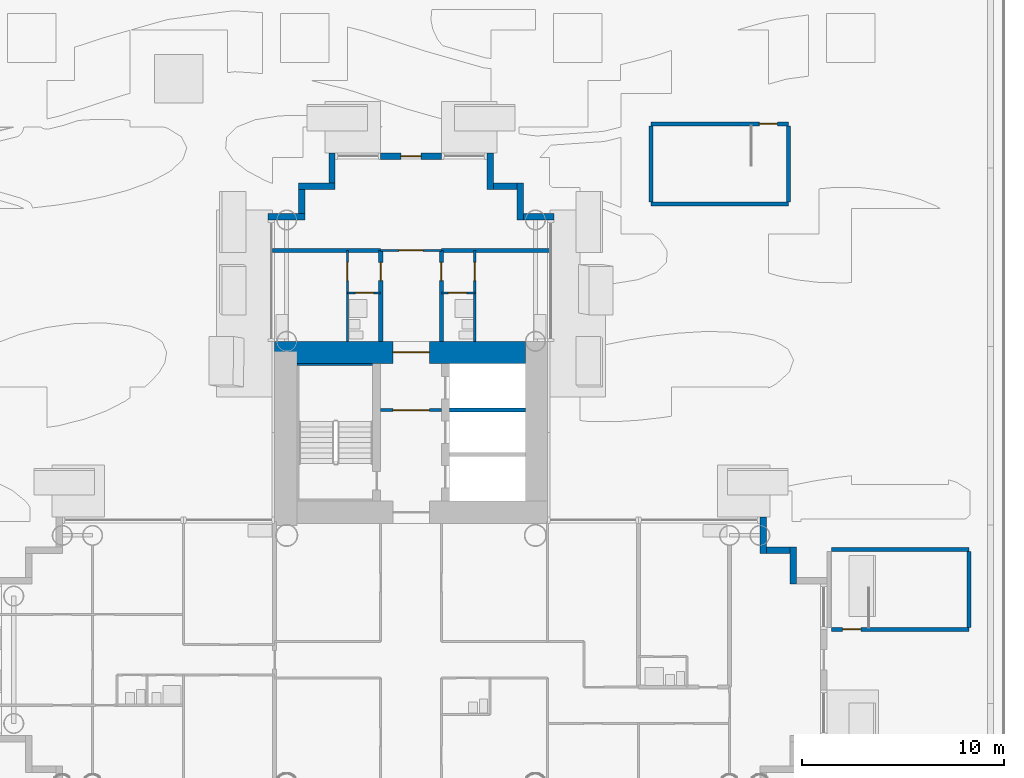
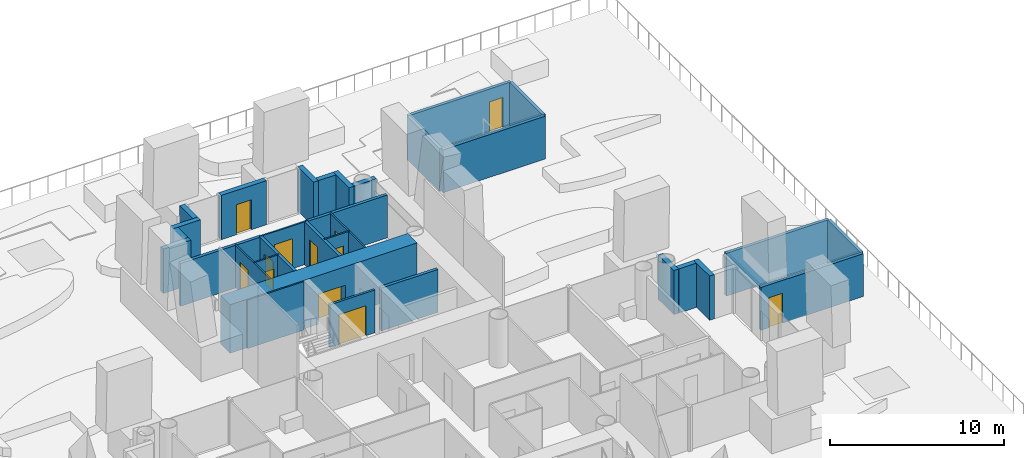
# One storey, part 30 of 40: 32 walls, 12 doors, 12 openings.
"""IFC4 building model written with IfcOpenShell, lengths in metres."""

from ifc_helpers import new_model, si_unit, direction, frame, frame_2d, origin, place, context, subcontext, project, spatial, rectangle, extrude, material, layer, layer_set, type_object, element, fill, save


model = new_model("IFC4")

# Units and contexts
model_context = context("Model", 3, precision=1e-05, world=origin(), true_north=direction((0.0, 1.0)))
body_context = subcontext(model_context, "Body", "Model", "MODEL_VIEW")
ifc_project = project(units=[si_unit("LENGTHUNIT", "METRE"), si_unit("AREAUNIT", "SQUARE_METRE"), si_unit("VOLUMEUNIT", "CUBIC_METRE"), si_unit("PLANEANGLEUNIT", "RADIAN"), si_unit("MASSUNIT", "GRAM", prefix="KILO")], contexts=[model_context])

# Site, building, storey
site_placement = place(None, origin())
site = spatial("IfcSite", under=ifc_project, at=site_placement, CompositionType="ELEMENT")
building_placement = place(site_placement, origin())
building = spatial("IfcBuilding", under=site, at=building_placement, Name="Ipe Terrace Towers", CompositionType="ELEMENT")
storey_placement = place(building_placement, frame((0.0, 0.0, 24.5)))
storey = spatial("IfcBuildingStorey", under=building, at=storey_placement, Name="L05", CompositionType="ELEMENT", Elevation=24.5)

# Walls
ifc_material_1 = material(Name="Concrete C40/50 with buff precast cladding", Category="concrete")
ifc_layer_1 = layer(ifc_material_1, 0.320068359375)
ifc_layer_set_1 = layer_set([ifc_layer_1], Name="BUFF CLADDING WALL 320")
wall_type_1 = type_object("IfcWallType", Name="BUFF CLADDING WALL 320", PredefinedType="STANDARD", material=ifc_layer_set_1)
wall_1_placement = place(storey_placement, frame((54.909912109375, 3.75, 0.0), z_axis=(0.0, 0.0, 1.0), x_axis=(0.0, 1.0, 0.0)))
element("IfcWall", 1, at=wall_1_placement, inside=storey, type_object=wall_type_1, Name="T2-W-L05-14a wall", PredefinedType="STANDARD", context=body_context, shape_type="SweptSolid", body=[
    extrude(rectangle(XDim=1.820068359375, YDim=0.320068359375, at=frame_2d((0.91015625, 0.0))), origin(), (0.0, 0.0, 1.0), 3.10009765625),
])
wall_2_placement = place(storey_placement, frame((54.75, 5.409912109375, 0.0), z_axis=(0.0, 0.0, 1.0), x_axis=(-1.0, 0.0, 0.0)))
element("IfcWall", 2, at=wall_2_placement, inside=storey, type_object=wall_type_1, Name="T2-W-L05-15a wall", PredefinedType="STANDARD", context=body_context, shape_type="SweptSolid", body=[
    extrude(rectangle(XDim=1.179931640625, YDim=0.320068359375, at=frame_2d((0.58984375, 0.0))), origin(), (0.0, 0.0, 1.0), 3.10009765625),
])
wall_3_placement = place(storey_placement, frame((53.409912109375, 5.25, 0.0), z_axis=(0.0, 0.0, 1.0), x_axis=(0.0, 1.0, 0.0)))
element("IfcWall", 3, at=wall_3_placement, inside=storey, type_object=wall_type_1, Name="T2-W-L05-16a wall", PredefinedType="STANDARD", context=body_context, shape_type="SweptSolid", body=[
    extrude(rectangle(XDim=1.820068359375, YDim=0.320068359375, at=frame_2d((0.91015625, 0.0))), origin(), (0.0, 0.0, 1.0), 3.10009765625),
])
wall_4_placement = place(storey_placement, frame((43.070068359375, 21.909912109375, 0.0), z_axis=(0.0, 0.0, 1.0), x_axis=(-1.0, 0.0, 0.0)))
element("IfcWall", 4, at=wall_4_placement, inside=storey, type_object=wall_type_1, Name="T2-W-L05-21a wall", PredefinedType="STANDARD", context=body_context, shape_type="SweptSolid", body=[
    extrude(rectangle(XDim=1.5, YDim=0.320068359375, at=frame_2d((0.75, 0.0))), origin(), (0.0, 0.0, 1.0), 3.10009765625),
])
wall_5_placement = place(storey_placement, frame((41.409912109375, 21.75, 0.0), z_axis=(0.0, 0.0, 1.0), x_axis=(0.0, 1.0, 0.0)))
element("IfcWall", 5, at=wall_5_placement, inside=storey, type_object=wall_type_1, Name="T2-W-L05-22a wall", PredefinedType="STANDARD", context=body_context, shape_type="SweptSolid", body=[
    extrude(rectangle(XDim=1.820068359375, YDim=0.320068359375, at=frame_2d((0.91015625, 0.0))), origin(), (0.0, 0.0, 1.0), 3.10009765625),
])
wall_6_placement = place(storey_placement, frame((41.25, 23.409912109375, 0.0), z_axis=(0.0, 0.0, 1.0), x_axis=(-1.0, 0.0, 0.0)))
element("IfcWall", 6, at=wall_6_placement, inside=storey, type_object=wall_type_1, Name="T2-W-L05-23a wall", PredefinedType="STANDARD", context=body_context, shape_type="SweptSolid", body=[
    extrude(rectangle(XDim=1.179931640625, YDim=0.320068359375, at=frame_2d((0.58984375, 0.0))), origin(), (0.0, 0.0, 1.0), 3.10009765625),
])
wall_7_placement = place(storey_placement, frame((39.909912109375, 23.25, 0.0), z_axis=(0.0, 0.0, 1.0), x_axis=(0.0, 1.0, 0.0)))
element("IfcWall", 7, at=wall_7_placement, inside=storey, type_object=wall_type_1, Name="T2-W-L05-24a wall", PredefinedType="STANDARD", context=body_context, shape_type="SweptSolid", body=[
    extrude(rectangle(XDim=1.820068359375, YDim=0.320068359375, at=frame_2d((0.91015625, 0.0))), origin(), (0.0, 0.0, 1.0), 3.10009765625),
])

# Wall, opening, door
wall_8_placement = place(storey_placement, frame((37.5, 24.909912109375, 0.0), z_axis=(0.0, 0.0, 1.0), x_axis=(-1.0, 0.0, 0.0)))
wall_8 = element("IfcWall", 8, at=wall_8_placement, inside=storey, type_object=wall_type_1, Name="T2-W-L05-25b wall", PredefinedType="STANDARD", context=body_context, shape_type="SweptSolid", body=[
    extrude(rectangle(XDim=3.0, YDim=0.320068359375, at=frame_2d((1.5, 0.0))), origin(), (0.0, 0.0, 1.0), 3.10009765625),
])
opening_1_placement = place(wall_8_placement, frame((1.0, 0.0, 0.0)))
opening_1 = element("IfcOpeningElement", 9, at=opening_1_placement, cuts=wall_8, Name="Opening T2-D-L05-25", PredefinedType="OPENING", context=body_context, shape_type="SweptSolid", body=[
    extrude(rectangle(XDim=1.0, YDim=2.10009765625, at=frame_2d((0.5, 1.050048828125))), frame((0.0, 0.169921875, 0.0), z_axis=(0.0, -1.0, 0.0), x_axis=(1.0, 0.0, 0.0)), (0.0, 0.0, 1.0), 0.340087890625),
])
ifc_material_2 = material(Name="Aluminium alloy 6063-T6 framed glazed door", Category="aluminium")
door_type_1 = type_object("IfcDoorType", Name="TERRACE DOOR 1000 x 2100", OperationType="SINGLE_SWING_LEFT", PredefinedType="DOOR", material=ifc_material_2)
door_1_placement = place(opening_1_placement, origin())
door_1 = element("IfcDoor", 10, at=door_1_placement, inside=storey, type_object=door_type_1, Name="DT1 door", OperationType="SINGLE_SWING_LEFT", OverallHeight=2.10009765625, OverallWidth=1.0, PredefinedType="DOOR", context=body_context, shape_type="SweptSolid", body=[
    extrude(rectangle(XDim=1.0, YDim=2.10009765625, at=frame_2d((0.5, 1.050048828125))), frame((0.0, 0.02490234375, 0.0), z_axis=(0.0, -1.0, 0.0), x_axis=(1.0, 0.0, 0.0)), (0.0, 0.0, 1.0), 0.050048828125),
])
fill(opening_1, door_1)

# Walls
wall_9_placement = place(storey_placement, frame((32.090087890625, 25.070068359375, 0.0), z_axis=(0.0, 0.0, 1.0), x_axis=(0.0, -1.0, 0.0)))
element("IfcWall", 11, at=wall_9_placement, inside=storey, type_object=wall_type_1, Name="T2-W-L05-26a wall", PredefinedType="STANDARD", context=body_context, shape_type="SweptSolid", body=[
    extrude(rectangle(XDim=1.5, YDim=0.320068359375, at=frame_2d((0.75, 0.0))), origin(), (0.0, 0.0, 1.0), 3.10009765625),
])
wall_10_placement = place(storey_placement, frame((32.25, 23.409912109375, 0.0), z_axis=(0.0, 0.0, 1.0), x_axis=(-1.0, 0.0, 0.0)))
element("IfcWall", 12, at=wall_10_placement, inside=storey, type_object=wall_type_1, Name="T2-W-L05-27a wall", PredefinedType="STANDARD", context=body_context, shape_type="SweptSolid", body=[
    extrude(rectangle(XDim=1.820068359375, YDim=0.320068359375, at=frame_2d((0.91015625, 0.0))), origin(), (0.0, 0.0, 1.0), 3.10009765625),
])
wall_11_placement = place(storey_placement, frame((30.590087890625, 23.25, 0.0), z_axis=(0.0, 0.0, 1.0), x_axis=(0.0, -1.0, 0.0)))
element("IfcWall", 13, at=wall_11_placement, inside=storey, type_object=wall_type_1, Name="T2-W-L05-28a wall", PredefinedType="STANDARD", context=body_context, shape_type="SweptSolid", body=[
    extrude(rectangle(XDim=1.179931640625, YDim=0.320068359375, at=frame_2d((0.58984375, 0.0))), origin(), (0.0, 0.0, 1.0), 3.10009765625),
])
wall_12_placement = place(storey_placement, frame((30.75, 21.909912109375, 0.0), z_axis=(0.0, 0.0, 1.0), x_axis=(-1.0, 0.0, 0.0)))
element("IfcWall", 14, at=wall_12_placement, inside=storey, type_object=wall_type_1, Name="T2-W-L05-29a wall", PredefinedType="STANDARD", context=body_context, shape_type="SweptSolid", body=[
    extrude(rectangle(XDim=1.820068359375, YDim=0.320068359375, at=frame_2d((0.91015625, 0.0))), origin(), (0.0, 0.0, 1.0), 3.10009765625),
])

# Wall, opening, door
ifc_material_3 = material(Name="Gypsum board partition", Category="plasterboard")
ifc_layer_2 = layer(ifc_material_3, 0.10009765625)
ifc_layer_set_2 = layer_set([ifc_layer_2], Name="Gypsum board partition 100 mm")
wall_type_2 = type_object("IfcWallType", Name="Gypsum board partition 100 mm", PredefinedType="PARTITIONING", material=ifc_layer_set_2)
wall_13_placement = place(storey_placement, frame((39.14990234375, 18.14990234375, 0.0), z_axis=(0.0, 0.0, 1.0), x_axis=(-1.0, 0.0, 0.0)))
wall_13 = element("IfcWall", 15, at=wall_13_placement, inside=storey, type_object=wall_type_2, Name="Gypsum board partition T2 L05 W19", PredefinedType="PARTITIONING", context=body_context, shape_type="SweptSolid", body=[
    extrude(rectangle(XDim=1.64990234375, YDim=0.10009765625, at=frame_2d((0.824951171875, 0.0))), origin(), (0.0, 0.0, 1.0), 3.0),
])
opening_2_placement = place(wall_13_placement, frame((0.39990234375, 0.0, 0.0)))
opening_2 = element("IfcOpeningElement", 16, at=opening_2_placement, cuts=wall_13, Name="Opening T2-Z1A-27", PredefinedType="OPENING", context=body_context, shape_type="SweptSolid", body=[
    extrude(rectangle(XDim=0.89990234375, YDim=2.10009765625, at=frame_2d((0.449951171875, 1.050048828125))), frame((0.0, 0.06005859375, 0.0), z_axis=(0.0, -1.0, 0.0), x_axis=(1.0, 0.0, 0.0)), (0.0, 0.0, 1.0), 0.1201171875),
])
ifc_material_4 = material(Name="Timber door leaf", Category="wood")
door_type_2 = type_object("IfcDoorType", Name="Bathroom door 900 x 2100", OperationType="NOTDEFINED", PredefinedType="DOOR", material=ifc_material_4)
door_2_placement = place(opening_2_placement, origin())
door_2 = element("IfcDoor", 17, at=door_2_placement, inside=storey, type_object=door_type_2, Name="Bathroom door T2-Z1A-27", OperationType="SINGLE_SWING_LEFT", OverallHeight=2.10009765625, OverallWidth=0.89990234375, PredefinedType="DOOR", context=body_context, shape_type="SweptSolid", body=[
    extrude(rectangle(XDim=0.89990234375, YDim=2.10009765625, at=frame_2d((0.449951171875, 1.050048828125))), frame((0.0, 0.02490234375, 0.0), z_axis=(0.0, -1.0, 0.0), x_axis=(1.0, 0.0, 0.0)), (0.0, 0.0, 1.0), 0.050048828125),
])
fill(opening_2, door_2)

wall_14_placement = place(storey_placement, frame((34.5, 18.14990234375, 0.0), z_axis=(0.0, 0.0, 1.0), x_axis=(-1.0, 0.0, 0.0)))
wall_14 = element("IfcWall", 18, at=wall_14_placement, inside=storey, type_object=wall_type_2, Name="Gypsum board partition T2 L05 W20", PredefinedType="PARTITIONING", context=body_context, shape_type="SweptSolid", body=[
    extrude(rectangle(XDim=1.64990234375, YDim=0.10009765625, at=frame_2d((0.824951171875, 0.0))), origin(), (0.0, 0.0, 1.0), 3.0),
])
opening_3_placement = place(wall_14_placement, frame((0.35009765625, 0.0, 0.0)))
opening_3 = element("IfcOpeningElement", 19, at=opening_3_placement, cuts=wall_14, Name="Opening T2-Z1A-24", PredefinedType="OPENING", context=body_context, shape_type="SweptSolid", body=[
    extrude(rectangle(XDim=0.89990234375, YDim=2.10009765625, at=frame_2d((0.449951171875, 1.050048828125))), frame((0.0, 0.06005859375, 0.0), z_axis=(0.0, -1.0, 0.0), x_axis=(1.0, 0.0, 0.0)), (0.0, 0.0, 1.0), 0.1201171875),
])
door_3_placement = place(opening_3_placement, origin())
door_3 = element("IfcDoor", 20, at=door_3_placement, inside=storey, type_object=door_type_2, Name="Bathroom door T2-Z1A-24", OperationType="SINGLE_SWING_RIGHT", OverallHeight=2.10009765625, OverallWidth=0.89990234375, PredefinedType="DOOR", context=body_context, shape_type="SweptSolid", body=[
    extrude(rectangle(XDim=0.89990234375, YDim=2.10009765625, at=frame_2d((0.449951171875, 1.050048828125))), frame((0.0, 0.02490234375, 0.0), z_axis=(0.0, -1.0, 0.0), x_axis=(1.0, 0.0, 0.0)), (0.0, 0.0, 1.0), 0.050048828125),
])
fill(opening_3, door_3)

wall_15_placement = place(storey_placement, frame((37.5, 20.25, 0.0), z_axis=(0.0, 0.0, 1.0), x_axis=(-1.0, 0.0, 0.0)))
wall_15 = element("IfcWall", 21, at=wall_15_placement, inside=storey, type_object=wall_type_2, Name="Gypsum board partition T2 L05 W21", PredefinedType="PARTITIONING", context=body_context, shape_type="SweptSolid", body=[
    extrude(rectangle(XDim=3.0, YDim=0.10009765625, at=frame_2d((1.5, 0.0))), origin(), (0.0, 0.0, 1.0), 3.0),
])
opening_4_placement = place(wall_15_placement, frame((0.89990234375, 0.0, 0.0)))
opening_4 = element("IfcOpeningElement", 22, at=opening_4_placement, cuts=wall_15, Name="Opening T2-Z1A-28", PredefinedType="OPENING", context=body_context, shape_type="SweptSolid", body=[
    extrude(rectangle(XDim=1.199951171875, YDim=2.10009765625, at=frame_2d((0.60009765625, 1.050048828125))), frame((0.0, 0.06005859375, 0.0), z_axis=(0.0, -1.0, 0.0), x_axis=(1.0, 0.0, 0.0)), (0.0, 0.0, 1.0), 0.1201171875),
])
ifc_material_5 = material(Name="Timber door leaf", Category="wood")
door_type_3 = type_object("IfcDoorType", Name="Lounge door 1200 x 2100", OperationType="NOTDEFINED", PredefinedType="DOOR", material=ifc_material_5)
door_4_placement = place(opening_4_placement, origin())
door_4 = element("IfcDoor", 23, at=door_4_placement, inside=storey, type_object=door_type_3, Name="Lounge door T2-Z1A-28", OperationType="SINGLE_SWING_RIGHT", OverallHeight=2.10009765625, OverallWidth=1.199951171875, PredefinedType="DOOR", context=body_context, shape_type="SweptSolid", body=[
    extrude(rectangle(XDim=1.199951171875, YDim=2.10009765625, at=frame_2d((0.60009765625, 1.050048828125))), frame((0.0, 0.02490234375, 0.0), z_axis=(0.0, -1.0, 0.0), x_axis=(1.0, 0.0, 0.0)), (0.0, 0.0, 1.0), 0.050048828125),
])
fill(opening_4, door_4)

wall_16_placement = place(storey_placement, frame((39.14990234375, 15.75, 0.0), z_axis=(0.0, 0.0, 1.0), x_axis=(0.0, 1.0, 0.0)))
wall_16 = element("IfcWall", 24, at=wall_16_placement, inside=storey, type_object=wall_type_2, Name="Gypsum board partition T2 L05 W34", PredefinedType="PARTITIONING", context=body_context, shape_type="SweptSolid", body=[
    extrude(rectangle(XDim=4.5, YDim=0.10009765625, at=frame_2d((2.25, 0.0))), origin(), (0.0, 0.0, 1.0), 3.0),
])
opening_5_placement = place(wall_16_placement, frame((3.0, 0.0, 0.0)))
opening_5 = element("IfcOpeningElement", 25, at=opening_5_placement, cuts=wall_16, Name="Opening T2-Z1A-26", PredefinedType="OPENING", context=body_context, shape_type="SweptSolid", body=[
    extrude(rectangle(XDim=0.89990234375, YDim=2.10009765625, at=frame_2d((0.449951171875, 1.050048828125))), frame((0.0, 0.06005859375, 0.0), z_axis=(0.0, -1.0, 0.0), x_axis=(1.0, 0.0, 0.0)), (0.0, 0.0, 1.0), 0.1201171875),
])
ifc_material_6 = material(Name="Timber door leaf", Category="wood")
door_type_4 = type_object("IfcDoorType", Name="Bedroom door 900 x 2100", OperationType="NOTDEFINED", PredefinedType="DOOR", material=ifc_material_6)
door_5_placement = place(opening_5_placement, origin())
door_5 = element("IfcDoor", 26, at=door_5_placement, inside=storey, type_object=door_type_4, Name="Bedroom door T2-Z1A-26", OperationType="SINGLE_SWING_RIGHT", OverallHeight=2.10009765625, OverallWidth=0.89990234375, PredefinedType="DOOR", context=body_context, shape_type="SweptSolid", body=[
    extrude(rectangle(XDim=0.89990234375, YDim=2.10009765625, at=frame_2d((0.449951171875, 1.050048828125))), frame((0.0, 0.02490234375, 0.0), z_axis=(0.0, -1.0, 0.0), x_axis=(1.0, 0.0, 0.0)), (0.0, 0.0, 1.0), 0.050048828125),
])
fill(opening_5, door_5)

wall_17_placement = place(storey_placement, frame((32.85009765625, 15.75, 0.0), z_axis=(0.0, 0.0, 1.0), x_axis=(0.0, 1.0, 0.0)))
wall_17 = element("IfcWall", 27, at=wall_17_placement, inside=storey, type_object=wall_type_2, Name="Gypsum board partition T2 L05 W44", PredefinedType="PARTITIONING", context=body_context, shape_type="SweptSolid", body=[
    extrude(rectangle(XDim=4.5, YDim=0.10009765625, at=frame_2d((2.25, 0.0))), origin(), (0.0, 0.0, 1.0), 3.0),
])
opening_6_placement = place(wall_17_placement, frame((3.0, 0.0, 0.0)))
opening_6 = element("IfcOpeningElement", 28, at=opening_6_placement, cuts=wall_17, Name="Opening T2-Z1A-23", PredefinedType="OPENING", context=body_context, shape_type="SweptSolid", body=[
    extrude(rectangle(XDim=0.89990234375, YDim=2.10009765625, at=frame_2d((0.449951171875, 1.050048828125))), frame((0.0, 0.06005859375, 0.0), z_axis=(0.0, -1.0, 0.0), x_axis=(1.0, 0.0, 0.0)), (0.0, 0.0, 1.0), 0.1201171875),
])
door_6_placement = place(opening_6_placement, origin())
door_6 = element("IfcDoor", 29, at=door_6_placement, inside=storey, type_object=door_type_4, Name="Bedroom door T2-Z1A-23", OperationType="SINGLE_SWING_LEFT", OverallHeight=2.10009765625, OverallWidth=0.89990234375, PredefinedType="DOOR", context=body_context, shape_type="SweptSolid", body=[
    extrude(rectangle(XDim=0.89990234375, YDim=2.10009765625, at=frame_2d((0.449951171875, 1.050048828125))), frame((0.0, 0.02490234375, 0.0), z_axis=(0.0, -1.0, 0.0), x_axis=(1.0, 0.0, 0.0)), (0.0, 0.0, 1.0), 0.050048828125),
])
fill(opening_6, door_6)

ifc_material_7 = material(Name="Gypsum board partition", Category="plasterboard")
ifc_layer_3 = layer(ifc_material_7, 0.14990234375)
ifc_layer_set_3 = layer_set([ifc_layer_3], Name="Gypsum board partition 150 mm")
wall_type_3 = type_object("IfcWallType", Name="Gypsum board partition 150 mm", PredefinedType="PARTITIONING", material=ifc_layer_set_3)
wall_18_placement = place(storey_placement, frame((37.5, 12.35009765625, 0.0), z_axis=(0.0, 0.0, 1.0), x_axis=(-1.0, 0.0, 0.0)))
wall_18 = element("IfcWall", 30, at=wall_18_placement, inside=storey, type_object=wall_type_3, Name="Gypsum board partition T2 L05 t2c1-lobby-wall", PredefinedType="PARTITIONING", context=body_context, shape_type="SweptSolid", body=[
    extrude(rectangle(XDim=3.0, YDim=0.14990234375, at=frame_2d((1.5, 0.0))), origin(), (0.0, 0.0, 1.0), 3.0),
])
opening_7_placement = place(wall_18_placement, frame((0.60009765625, 0.0, 0.0)))
opening_7 = element("IfcOpeningElement", 31, at=opening_7_placement, cuts=wall_18, Name="Opening T2C1-VD", PredefinedType="OPENING", context=body_context, shape_type="SweptSolid", body=[
    extrude(rectangle(XDim=1.800048828125, YDim=2.10009765625, at=frame_2d((0.89990234375, 1.050048828125))), frame((0.0, 0.0849609375, 0.0), z_axis=(0.0, -1.0, 0.0), x_axis=(1.0, 0.0, 0.0)), (0.0, 0.0, 1.0), 0.169921875),
])
ifc_material_8 = material(Name="Fire-rated timber door leaf", Category="wood")
door_type_5 = type_object("IfcDoorType", Name="Lobby door 1800 x 2100 FD60", OperationType="NOTDEFINED", PredefinedType="DOOR", material=ifc_material_8)
door_7_placement = place(opening_7_placement, origin())
door_7 = element("IfcDoor", 32, at=door_7_placement, inside=storey, type_object=door_type_5, Name="Lobby door T2C1-VD", OperationType="SINGLE_SWING_LEFT", OverallHeight=2.10009765625, OverallWidth=1.800048828125, PredefinedType="DOOR", context=body_context, shape_type="SweptSolid", body=[
    extrude(rectangle(XDim=1.800048828125, YDim=2.10009765625, at=frame_2d((0.89990234375, 1.050048828125))), frame((0.0, 0.02490234375, 0.0), z_axis=(0.0, -1.0, 0.0), x_axis=(1.0, 0.0, 0.0)), (0.0, 0.0, 1.0), 0.050048828125),
])
fill(opening_7, door_7)

# Walls
ifc_material_9 = material(Name="Gypsum board party wall", Category="plasterboard")
ifc_layer_4 = layer(ifc_material_9, 0.199951171875)
ifc_layer_set_4 = layer_set([ifc_layer_4], Name="Gypsum board party wall 200 mm")
wall_type_4 = type_object("IfcWallType", Name="Gypsum board party wall 200 mm", PredefinedType="SOLIDWALL", material=ifc_layer_set_4)
wall_19_placement = place(storey_placement, frame((41.64990234375, 12.35009765625, 0.0), z_axis=(0.0, 0.0, 1.0), x_axis=(-1.0, 0.0, 0.0)))
element("IfcWall", 33, at=wall_19_placement, inside=storey, type_object=wall_type_4, Name="Gypsum board party wall T2 L05 t2c1-shaft-div2", PredefinedType="SOLIDWALL", context=body_context, shape_type="SweptSolid", body=[
    extrude(rectangle(XDim=3.75, YDim=0.199951171875, at=frame_2d((1.875, 0.0))), origin(), (0.0, 0.0, 1.0), 3.0),
])
for number, where, z_axis, x_axis, name in (
    (34, (42.85009765625, 20.25, 0.0), (0.0, 0.0, 1.0), (-1.0, 0.0, 0.0), "Gypsum board party wall T2 L05 W22"),
    (35, (34.5, 20.25, 0.0), (0.0, 0.0, 1.0), (-1.0, 0.0, 0.0), "Gypsum board party wall T2 L05 W23"),
):
    element("IfcWall", number, at=place(storey_placement, frame(where, z_axis=z_axis, x_axis=x_axis)), inside=storey, type_object=wall_type_4, Name=name, PredefinedType="SOLIDWALL", context=body_context, shape_type="SweptSolid", body=[
        extrude(rectangle(XDim=5.35009765625, YDim=0.199951171875, at=frame_2d((2.675048828125, 0.0))), origin(), (0.0, 0.0, 1.0), 3.0),
    ])

# Wall, opening, door
wall_20_placement = place(storey_placement, frame((37.5, 15.75, 0.0), z_axis=(0.0, 0.0, 1.0), x_axis=(0.0, 1.0, 0.0)))
wall_20 = element("IfcWall", 36, at=wall_20_placement, inside=storey, type_object=wall_type_4, Name="Gypsum board party wall T2 L05 W38", PredefinedType="SOLIDWALL", context=body_context, shape_type="SweptSolid", body=[
    extrude(rectangle(XDim=4.5, YDim=0.199951171875, at=frame_2d((2.25, 0.0))), origin(), (0.0, 0.0, 1.0), 3.0),
])
opening_8_placement = place(wall_20_placement, frame((3.0, 0.0, 0.0)))
opening_8 = element("IfcOpeningElement", 37, at=opening_8_placement, cuts=wall_20, Name="Opening T2-Z1A-25", PredefinedType="OPENING", context=body_context, shape_type="SweptSolid", body=[
    extrude(rectangle(XDim=0.89990234375, YDim=2.10009765625, at=frame_2d((0.449951171875, 1.050048828125))), frame((0.0, 0.10986328125, 0.0), z_axis=(0.0, -1.0, 0.0), x_axis=(1.0, 0.0, 0.0)), (0.0, 0.0, 1.0), 0.219970703125),
])
ifc_material_10 = material(Name="Fire-rated timber door leaf", Category="wood")
door_type_6 = type_object("IfcDoorType", Name="Flat entrance door 900 x 2100 FD30S", OperationType="NOTDEFINED", PredefinedType="DOOR", material=ifc_material_10)
door_8_placement = place(opening_8_placement, origin())
door_8 = element("IfcDoor", 38, at=door_8_placement, inside=storey, type_object=door_type_6, Name="Flat entrance door T2-Z1A-25", OperationType="SINGLE_SWING_RIGHT", OverallHeight=2.10009765625, OverallWidth=0.89990234375, PredefinedType="DOOR", context=body_context, shape_type="SweptSolid", body=[
    extrude(rectangle(XDim=0.89990234375, YDim=2.10009765625, at=frame_2d((0.449951171875, 1.050048828125))), frame((0.0, 0.02490234375, 0.0), z_axis=(0.0, -1.0, 0.0), x_axis=(1.0, 0.0, 0.0)), (0.0, 0.0, 1.0), 0.050048828125),
])
fill(opening_8, door_8)

wall_21_placement = place(storey_placement, frame((34.5, 15.75, 0.0), z_axis=(0.0, 0.0, 1.0), x_axis=(0.0, 1.0, 0.0)))
wall_21 = element("IfcWall", 39, at=wall_21_placement, inside=storey, type_object=wall_type_4, Name="Gypsum board party wall T2 L05 W42", PredefinedType="SOLIDWALL", context=body_context, shape_type="SweptSolid", body=[
    extrude(rectangle(XDim=4.5, YDim=0.199951171875, at=frame_2d((2.25, 0.0))), origin(), (0.0, 0.0, 1.0), 3.0),
])
opening_9_placement = place(wall_21_placement, frame((3.0, 0.0, 0.0)))
opening_9 = element("IfcOpeningElement", 40, at=opening_9_placement, cuts=wall_21, Name="Opening T2-Z1A-22", PredefinedType="OPENING", context=body_context, shape_type="SweptSolid", body=[
    extrude(rectangle(XDim=0.89990234375, YDim=2.10009765625, at=frame_2d((0.449951171875, 1.050048828125))), frame((0.0, 0.10986328125, 0.0), z_axis=(0.0, -1.0, 0.0), x_axis=(1.0, 0.0, 0.0)), (0.0, 0.0, 1.0), 0.219970703125),
])
door_9_placement = place(opening_9_placement, origin())
door_9 = element("IfcDoor", 41, at=door_9_placement, inside=storey, type_object=door_type_6, Name="Flat entrance door T2-Z1A-22", OperationType="SINGLE_SWING_LEFT", OverallHeight=2.10009765625, OverallWidth=0.89990234375, PredefinedType="DOOR", context=body_context, shape_type="SweptSolid", body=[
    extrude(rectangle(XDim=0.89990234375, YDim=2.10009765625, at=frame_2d((0.449951171875, 1.050048828125))), frame((0.0, 0.02490234375, 0.0), z_axis=(0.0, -1.0, 0.0), x_axis=(1.0, 0.0, 0.0)), (0.0, 0.0, 1.0), 0.050048828125),
])
fill(opening_9, door_9)

# Wall
ifc_material_11 = material(Name="Concrete C60/75", Category="concrete")
ifc_layer_5 = layer(ifc_material_11, 0.10009765625)
ifc_layer_set_5 = layer_set([ifc_layer_5], Name="RW100 CORE INFILL WALL 100 C60-75")
wall_type_5 = type_object("IfcWallType", Name="RW100 CORE INFILL WALL 100 C60-75", PredefinedType="SHEAR", material=ifc_layer_set_5)
wall_22_placement = place(storey_placement, frame((34.10009765625, 14.60009765625, 0.0), z_axis=(0.0, 0.0, 1.0), x_axis=(-1.0, 0.0, 0.0)))
element("IfcWall", 42, at=wall_22_placement, inside=storey, type_object=wall_type_5, Name="Core infill wall T2-C1-far", PredefinedType="SHEAR", context=body_context, shape_type="SweptSolid", body=[
    extrude(rectangle(XDim=3.75, YDim=0.10009765625, at=frame_2d((1.875, 0.0))), origin(), (0.0, 0.0, 1.0), 3.39990234375),
])

# Wall, opening, door
ifc_material_12 = material(Name="Concrete C60/75", Category="concrete")
ifc_layer_6 = layer(ifc_material_12, 1.10009765625)
ifc_layer_set_6 = layer_set([ifc_layer_6], Name="RW1100 CORE WALL 1100 C60-75")
wall_type_6 = type_object("IfcWallType", Name="RW1100 CORE WALL 1100 C60-75", PredefinedType="SHEAR", material=ifc_layer_set_6)
wall_23_placement = place(storey_placement, frame((41.64990234375, 15.199951171875, 0.0), z_axis=(0.0, 0.0, 1.0), x_axis=(-1.0, 0.0, 0.0)))
wall_23 = element("IfcWall", 43, at=wall_23_placement, inside=storey, type_object=wall_type_6, Name="Core wall T2-C1-Z1-W03", PredefinedType="SHEAR", context=body_context, shape_type="SweptSolid", body=[
    extrude(rectangle(XDim=12.39990234375, YDim=1.10009765625, at=frame_2d((6.199951171875, 0.0))), origin(), (0.0, 0.0, 1.0), 3.39990234375),
])
opening_10_placement = place(wall_23_placement, frame((4.75, 0.0, 0.0)))
opening_10 = element("IfcOpeningElement", 44, at=opening_10_placement, cuts=wall_23, Name="Opening T2C1-FD", PredefinedType="OPENING", context=body_context, shape_type="SweptSolid", body=[
    extrude(rectangle(XDim=1.800048828125, YDim=2.10009765625, at=frame_2d((0.89990234375, 1.050048828125))), frame((0.0, 0.56005859375, 0.0), z_axis=(0.0, -1.0, 0.0), x_axis=(1.0, 0.0, 0.0)), (0.0, 0.0, 1.0), 1.1201171875),
])
ifc_material_13 = material(Name="Fire-rated timber door leaf", Category="wood")
door_type_7 = type_object("IfcDoorType", Name="Fire door 1800 x 2100 FD30S", OperationType="NOTDEFINED", PredefinedType="DOOR", material=ifc_material_13)
door_10_placement = place(opening_10_placement, origin())
door_10 = element("IfcDoor", 45, at=door_10_placement, inside=storey, type_object=door_type_7, Name="Fire door T2C1-FD", OperationType="SINGLE_SWING_LEFT", OverallHeight=2.10009765625, OverallWidth=1.800048828125, PredefinedType="DOOR", context=body_context, shape_type="SweptSolid", body=[
    extrude(rectangle(XDim=1.800048828125, YDim=2.10009765625, at=frame_2d((0.89990234375, 1.050048828125))), frame((0.0, 0.02490234375, 0.0), z_axis=(0.0, -1.0, 0.0), x_axis=(1.0, 0.0, 0.0)), (0.0, 0.0, 1.0), 0.050048828125),
])
fill(opening_10, door_10)

ifc_material_14 = material(Name="Concrete C40/50", Category="concrete")
ifc_layer_7 = layer(ifc_material_14, 0.199951171875)
ifc_layer_set_7 = layer_set([ifc_layer_7], Name="RW200 PODIUM STAIR SHAFT WALL 200 C40-50")
wall_type_7 = type_object("IfcWallType", Name="RW200 PODIUM STAIR SHAFT WALL 200 C40-50", PredefinedType="SHEAR", material=ifc_layer_set_7)
wall_24_placement = place(storey_placement, frame((47.8701171875, 26.5, 0.0), z_axis=(0.0, 0.0, 1.0), x_axis=(1.0, 0.0, 0.0)))
wall_24 = element("IfcWall", 46, at=wall_24_placement, inside=storey, type_object=wall_type_7, Name="Stair shaft wall T2 L05 ps3-c", PredefinedType="SHEAR", context=body_context, shape_type="SweptSolid", body=[
    extrude(rectangle(XDim=6.7998046875, YDim=0.199951171875, at=frame_2d((3.39990234375, 0.0))), origin(), (0.0, 0.0, 1.0), 3.0),
])
opening_11_placement = place(wall_24_placement, frame((5.35009765625, 0.0, 0.0)))
opening_11 = element("IfcOpeningElement", 47, at=opening_11_placement, cuts=wall_24, Name="Opening PS3-SD", PredefinedType="OPENING", context=body_context, shape_type="SweptSolid", body=[
    extrude(rectangle(XDim=0.89990234375, YDim=2.10009765625, at=frame_2d((0.449951171875, 1.050048828125))), frame((0.0, 0.10986328125, 0.0), z_axis=(0.0, -1.0, 0.0), x_axis=(1.0, 0.0, 0.0)), (0.0, 0.0, 1.0), 0.219970703125),
])
ifc_material_15 = material(Name="Fire-rated timber door leaf", Category="wood")
door_type_8 = type_object("IfcDoorType", Name="Stair door 900 x 2100 FD60", OperationType="NOTDEFINED", PredefinedType="DOOR", material=ifc_material_15)
door_11_placement = place(opening_11_placement, origin())
door_11 = element("IfcDoor", 48, at=door_11_placement, inside=storey, type_object=door_type_8, Name="Stair door PS3-SD", OperationType="SINGLE_SWING_LEFT", OverallHeight=2.10009765625, OverallWidth=0.89990234375, PredefinedType="DOOR", context=body_context, shape_type="SweptSolid", body=[
    extrude(rectangle(XDim=0.89990234375, YDim=2.10009765625, at=frame_2d((0.449951171875, 1.050048828125))), frame((0.0, 0.02490234375, 0.0), z_axis=(0.0, -1.0, 0.0), x_axis=(1.0, 0.0, 0.0)), (0.0, 0.0, 1.0), 0.050048828125),
])
fill(opening_11, door_11)

# Walls
wall_25_placement = place(storey_placement, frame((47.8701171875, 22.550048828125, 0.0), z_axis=(0.0, 0.0, 1.0), x_axis=(1.0, 0.0, 0.0)))
element("IfcWall", 49, at=wall_25_placement, inside=storey, type_object=wall_type_7, Name="Stair shaft wall T2 L05 ps3-f", PredefinedType="SHEAR", context=body_context, shape_type="SweptSolid", body=[
    extrude(rectangle(XDim=6.7998046875, YDim=0.199951171875, at=frame_2d((3.39990234375, 0.0))), origin(), (0.0, 0.0, 1.0), 3.0),
])
for number, where, z_axis, x_axis, name in (
    (50, (47.8701171875, 22.64990234375, 0.0), (0.0, 0.0, 1.0), (0.0, 1.0, 0.0), "Stair shaft wall T2 L05 ps3-w"),
    (51, (54.669921875, 22.64990234375, 0.0), (0.0, 0.0, 1.0), (0.0, 1.0, 0.0), "Stair shaft wall T2 L05 ps3-e"),
):
    element("IfcWall", number, at=place(storey_placement, frame(where, z_axis=z_axis, x_axis=x_axis)), inside=storey, type_object=wall_type_7, Name=name, PredefinedType="SHEAR", context=body_context, shape_type="SweptSolid", body=[
        extrude(rectangle(XDim=3.75, YDim=0.199951171875, at=frame_2d((1.875, 0.0))), origin(), (0.0, 0.0, 1.0), 3.0),
    ])

# Wall, opening, door
wall_26_placement = place(storey_placement, frame((56.7900390625, 1.5, 0.0), z_axis=(0.0, 0.0, 1.0), x_axis=(1.0, 0.0, 0.0)))
wall_26 = element("IfcWall", 52, at=wall_26_placement, inside=storey, type_object=wall_type_7, Name="Stair shaft wall T2 L05 ps8-c", PredefinedType="SHEAR", context=body_context, shape_type="SweptSolid", body=[
    extrude(rectangle(XDim=6.800048828125, YDim=0.199951171875, at=frame_2d((3.39990234375, 0.0))), origin(), (0.0, 0.0, 1.0), 3.0),
])
opening_12_placement = place(wall_26_placement, frame((0.550048828125, 0.0, 0.0)))
opening_12 = element("IfcOpeningElement", 53, at=opening_12_placement, cuts=wall_26, Name="Opening PS8-SD", PredefinedType="OPENING", context=body_context, shape_type="SweptSolid", body=[
    extrude(rectangle(XDim=0.89990234375, YDim=2.10009765625, at=frame_2d((0.449951171875, 1.050048828125))), frame((0.0, 0.10986328125, 0.0), z_axis=(0.0, -1.0, 0.0), x_axis=(1.0, 0.0, 0.0)), (0.0, 0.0, 1.0), 0.219970703125),
])
door_12_placement = place(opening_12_placement, origin())
door_12 = element("IfcDoor", 54, at=door_12_placement, inside=storey, type_object=door_type_8, Name="Stair door PS8-SD", OperationType="SINGLE_SWING_RIGHT", OverallHeight=2.10009765625, OverallWidth=0.89990234375, PredefinedType="DOOR", context=body_context, shape_type="SweptSolid", body=[
    extrude(rectangle(XDim=0.89990234375, YDim=2.10009765625, at=frame_2d((0.449951171875, 1.050048828125))), frame((0.0, 0.02490234375, 0.0), z_axis=(0.0, -1.0, 0.0), x_axis=(1.0, 0.0, 0.0)), (0.0, 0.0, 1.0), 0.050048828125),
])
fill(opening_12, door_12)

# Walls
wall_27_placement = place(storey_placement, frame((56.7900390625, 5.449951171875, 0.0), z_axis=(0.0, 0.0, 1.0), x_axis=(1.0, 0.0, 0.0)))
element("IfcWall", 55, at=wall_27_placement, inside=storey, type_object=wall_type_7, Name="Stair shaft wall T2 L05 ps8-f", PredefinedType="SHEAR", context=body_context, shape_type="SweptSolid", body=[
    extrude(rectangle(XDim=6.800048828125, YDim=0.199951171875, at=frame_2d((3.39990234375, 0.0))), origin(), (0.0, 0.0, 1.0), 3.0),
])
wall_28_placement = place(storey_placement, frame((63.590087890625, 1.60009765625, 0.0), z_axis=(0.0, 0.0, 1.0), x_axis=(0.0, 1.0, 0.0)))
element("IfcWall", 56, at=wall_28_placement, inside=storey, type_object=wall_type_7, Name="Stair shaft wall T2 L05 ps8-e", PredefinedType="SHEAR", context=body_context, shape_type="SweptSolid", body=[
    extrude(rectangle(XDim=3.75, YDim=0.199951171875, at=frame_2d((1.875, 0.0))), origin(), (0.0, 0.0, 1.0), 3.0),
])

save(model, "model.ifc")
